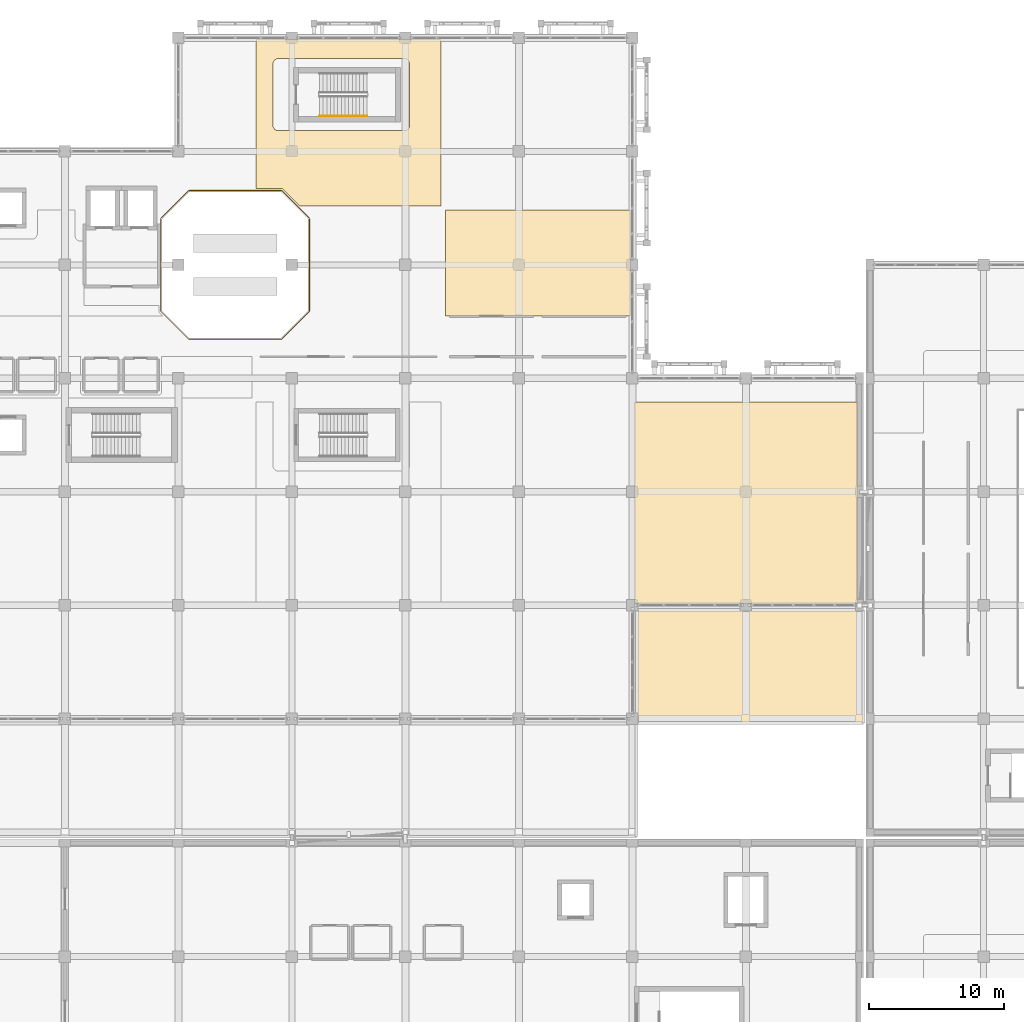
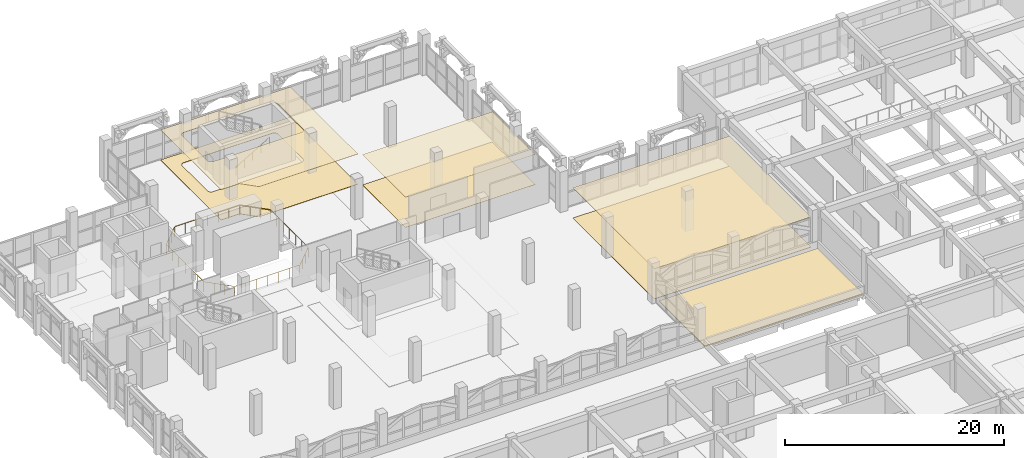
# One storey, part 122 of 129: 7 coverings, 2 railings.
"""IFC4 building model written with IfcOpenShell, lengths in metres."""

from ifc_helpers import new_model, si_unit, direction, frame, origin, origin_2d, place, context, subcontext, project, spatial, polyline, circle, outline, extrude, material, layer, layer_set, type_object, element, save


model = new_model("IFC4")

# Units and contexts
model_context = context("Model", 3, precision=1e-05, world=origin(), true_north=direction((0.0, 1.0)))
body_context = subcontext(model_context, "Body", "Model", "MODEL_VIEW")
ifc_project = project(units=[si_unit("LENGTHUNIT", "METRE"), si_unit("AREAUNIT", "SQUARE_METRE"), si_unit("VOLUMEUNIT", "CUBIC_METRE"), si_unit("PLANEANGLEUNIT", "RADIAN"), si_unit("MASSUNIT", "GRAM", prefix="KILO")], contexts=[model_context])

# Site, building, storey
site_placement = place(None, origin())
site = spatial("IfcSite", under=ifc_project, at=site_placement, CompositionType="ELEMENT")
building_placement = place(site_placement, origin())
building = spatial("IfcBuilding", under=site, at=building_placement, Name="Xazarin Passage Department Store", CompositionType="ELEMENT")
storey_placement = place(building_placement, frame((0.0, 0.0, 9.89990234375)))
storey = spatial("IfcBuildingStorey", under=building, at=storey_placement, Name="L02", CompositionType="ELEMENT", Elevation=9.89990234375)

# Coverings
ifc_material_1 = material(Name="Acoustic mineral ceiling")
ifc_layer_1 = layer(ifc_material_1, 0.030029296875)
ifc_layer_set_1 = layer_set([ifc_layer_1], Name="Acoustic mineral ceiling")
covering_type_1 = type_object("IfcCoveringType", Name="ARC-COV-CLG030", PredefinedType="CEILING", material=ifc_layer_set_1)
covering_1_placement = place(storey_placement, frame((0.0, 0.0, 3.3701171875)))
element("IfcCovering", 1, at=covering_1_placement, inside=storey, type_object=covering_type_1, Name="L02 Menswear Tailoring Salon Acoustic Ceiling", PredefinedType="CEILING", context=body_context, shape_type="SweptSolid", body=[
    extrude(outline(polyline([(36.550048828125, 89.39990234375), (50.25, 89.39990234375), (50.25, 97.25), (36.550048828125, 97.25), (36.550048828125, 89.39990234375)])), origin(), (0.0, 0.0, 1.0), 0.030029296875),
])
ifc_layer_2 = layer(ifc_material_1, 0.0400390625)
ifc_layer_set_2 = layer_set([ifc_layer_2], Name="Acoustic mineral ceiling")
covering_type_2 = type_object("IfcCoveringType", Name="ARC-COV-CLG040", PredefinedType="CEILING", material=ifc_layer_set_2)
covering_2_placement = place(storey_placement, frame((0.0, 0.0, 3.360107421875)))
element("IfcCovering", 2, at=covering_2_placement, inside=storey, type_object=covering_type_2, Name="L02 Denim and Casualwear Hall Acoustic Ceiling", PredefinedType="CEILING", context=body_context, shape_type="SweptSolid", body=[
    extrude(outline(polyline([(24.576904296875, 98.77685546875), (25.8037109375, 97.550048828125), (36.25, 97.550048828125), (36.25, 109.89990234375), (22.550048828125, 109.89990234375), (22.550048828125, 98.85009765625), (24.39990234375, 98.85009765625), (24.424560546875, 98.848876953125), (24.44873046875, 98.84521484375), (24.47265625, 98.839111328125), (24.49560546875, 98.8310546875), (24.517822265625, 98.820556640625), (24.538818359375, 98.807861328125), (24.55859375, 98.793212890625), (24.576904296875, 98.77685546875)]), holes=[polyline([(33.89990234375, 103.530029296875), (33.898193359375, 103.49072265625), (33.892333984375, 103.451904296875), (33.8828125, 103.413818359375), (33.86962890625, 103.376953125), (33.852783203125, 103.34130859375), (33.83251953125, 103.307861328125), (33.80908203125, 103.276123046875), (33.78271484375, 103.247314453125), (33.75390625, 103.220703125), (33.72216796875, 103.197509765625), (33.688720703125, 103.17724609375), (33.653076171875, 103.160400390625), (33.6162109375, 103.147216796875), (33.577880859375, 103.1376953125), (33.539306640625, 103.1318359375), (33.5, 103.1298828125), (24.199951171875, 103.1298828125), (24.160888671875, 103.1318359375), (24.1220703125, 103.1376953125), (24.083984375, 103.147216796875), (24.046875, 103.160400390625), (24.011474609375, 103.17724609375), (23.977783203125, 103.197509765625), (23.9462890625, 103.220703125), (23.917236328125, 103.247314453125), (23.890869140625, 103.276123046875), (23.867431640625, 103.307861328125), (23.84716796875, 103.34130859375), (23.830322265625, 103.376953125), (23.817138671875, 103.413818359375), (23.8076171875, 103.451904296875), (23.802001953125, 103.49072265625), (23.800048828125, 103.530029296875), (23.800048828125, 108.070068359375), (23.802001953125, 108.109130859375), (23.8076171875, 108.14794921875), (23.817138671875, 108.18603515625), (23.830322265625, 108.22314453125), (23.84716796875, 108.258544921875), (23.867431640625, 108.292236328125), (23.890869140625, 108.32373046875), (23.917236328125, 108.352783203125), (23.9462890625, 108.379150390625), (23.977783203125, 108.402587890625), (24.011474609375, 108.4228515625), (24.046875, 108.439697265625), (24.083984375, 108.452880859375), (24.1220703125, 108.46240234375), (24.160888671875, 108.468017578125), (24.199951171875, 108.469970703125), (33.5, 108.469970703125), (33.539306640625, 108.468017578125), (33.577880859375, 108.46240234375), (33.6162109375, 108.452880859375), (33.653076171875, 108.439697265625), (33.688720703125, 108.4228515625), (33.72216796875, 108.402587890625), (33.75390625, 108.379150390625), (33.78271484375, 108.352783203125), (33.80908203125, 108.32373046875), (33.83251953125, 108.292236328125), (33.852783203125, 108.258544921875), (33.86962890625, 108.22314453125), (33.8828125, 108.18603515625), (33.892333984375, 108.14794921875), (33.898193359375, 108.109130859375), (33.89990234375, 108.070068359375), (33.89990234375, 103.530029296875)])]), origin(), (0.0, 0.0, 1.0), 0.0400390625),
])
covering_3_placement = place(storey_placement, frame((0.0, 0.0, 3.360107421875)))
element("IfcCovering", 3, at=covering_3_placement, inside=storey, type_object=covering_type_2, Name="L02 Denim and Casualwear Hall Acoustic Ceiling", PredefinedType="CEILING", context=body_context, shape_type="SweptSolid", body=[
    extrude(outline(polyline([(50.550048828125, 68.14990234375), (67.10009765625, 68.14990234375), (67.10009765625, 83.050048828125), (50.550048828125, 83.050048828125), (50.550048828125, 68.14990234375)])), origin(), (0.0, 0.0, 1.0), 0.0400390625),
])
ifc_material_2 = material(Name="Terrazzo stone flooring", Category="masonry")
ifc_layer_3 = layer(ifc_material_2, 0.02490234375)
ifc_layer_set_3 = layer_set([ifc_layer_3], Name="Terrazzo stone flooring")
covering_type_3 = type_object("IfcCoveringType", Name="ARC-COV-FLR025", PredefinedType="FLOORING", material=ifc_layer_set_3)
covering_4_placement = place(storey_placement, origin())
element("IfcCovering", 4, at=covering_4_placement, inside=storey, type_object=covering_type_3, Name="L02 Menswear Tailoring Salon Terrazzo Flooring", PredefinedType="FLOORING", context=body_context, shape_type="SweptSolid", body=[
    extrude(outline(polyline([(36.550048828125, 89.39990234375), (50.25, 89.39990234375), (50.25, 97.25), (36.550048828125, 97.25), (36.550048828125, 89.39990234375)])), origin(), (0.0, 0.0, 1.0), 0.025146484375),
])
ifc_layer_4 = layer(ifc_material_2, 0.034912109375)
ifc_layer_set_4 = layer_set([ifc_layer_4], Name="Terrazzo stone flooring")
covering_type_4 = type_object("IfcCoveringType", Name="ARC-COV-FLR035", PredefinedType="FLOORING", material=ifc_layer_set_4)
covering_5_placement = place(storey_placement, origin())
element("IfcCovering", 5, at=covering_5_placement, inside=storey, type_object=covering_type_4, Name="L02 Denim and Casualwear Hall Terrazzo Flooring", PredefinedType="FLOORING", context=body_context, shape_type="SweptSolid", body=[
    extrude(outline(polyline([(24.576904296875, 98.77685546875), (25.8037109375, 97.550048828125), (36.25, 97.550048828125), (36.25, 109.89990234375), (22.550048828125, 109.89990234375), (22.550048828125, 98.85009765625), (24.39990234375, 98.85009765625), (24.424560546875, 98.848876953125), (24.44873046875, 98.84521484375), (24.47265625, 98.839111328125), (24.49560546875, 98.8310546875), (24.517822265625, 98.820556640625), (24.538818359375, 98.807861328125), (24.55859375, 98.793212890625), (24.576904296875, 98.77685546875)]), holes=[polyline([(33.89990234375, 103.530029296875), (33.898193359375, 103.49072265625), (33.892333984375, 103.451904296875), (33.8828125, 103.413818359375), (33.86962890625, 103.376953125), (33.852783203125, 103.34130859375), (33.83251953125, 103.307861328125), (33.80908203125, 103.276123046875), (33.78271484375, 103.247314453125), (33.75390625, 103.220703125), (33.72216796875, 103.197509765625), (33.688720703125, 103.17724609375), (33.653076171875, 103.160400390625), (33.6162109375, 103.147216796875), (33.577880859375, 103.1376953125), (33.539306640625, 103.1318359375), (33.5, 103.1298828125), (24.199951171875, 103.1298828125), (24.160888671875, 103.1318359375), (24.1220703125, 103.1376953125), (24.083984375, 103.147216796875), (24.046875, 103.160400390625), (24.011474609375, 103.17724609375), (23.977783203125, 103.197509765625), (23.9462890625, 103.220703125), (23.917236328125, 103.247314453125), (23.890869140625, 103.276123046875), (23.867431640625, 103.307861328125), (23.84716796875, 103.34130859375), (23.830322265625, 103.376953125), (23.817138671875, 103.413818359375), (23.8076171875, 103.451904296875), (23.802001953125, 103.49072265625), (23.800048828125, 103.530029296875), (23.800048828125, 108.070068359375), (23.802001953125, 108.109130859375), (23.8076171875, 108.14794921875), (23.817138671875, 108.18603515625), (23.830322265625, 108.22314453125), (23.84716796875, 108.258544921875), (23.867431640625, 108.292236328125), (23.890869140625, 108.32373046875), (23.917236328125, 108.352783203125), (23.9462890625, 108.379150390625), (23.977783203125, 108.402587890625), (24.011474609375, 108.4228515625), (24.046875, 108.439697265625), (24.083984375, 108.452880859375), (24.1220703125, 108.46240234375), (24.160888671875, 108.468017578125), (24.199951171875, 108.469970703125), (33.5, 108.469970703125), (33.539306640625, 108.468017578125), (33.577880859375, 108.46240234375), (33.6162109375, 108.452880859375), (33.653076171875, 108.439697265625), (33.688720703125, 108.4228515625), (33.72216796875, 108.402587890625), (33.75390625, 108.379150390625), (33.78271484375, 108.352783203125), (33.80908203125, 108.32373046875), (33.83251953125, 108.292236328125), (33.852783203125, 108.258544921875), (33.86962890625, 108.22314453125), (33.8828125, 108.18603515625), (33.892333984375, 108.14794921875), (33.898193359375, 108.109130859375), (33.89990234375, 108.070068359375), (33.89990234375, 103.530029296875)])]), origin(), (0.0, 0.0, 1.0), 0.03515625),
])
covering_6_placement = place(storey_placement, origin())
element("IfcCovering", 6, at=covering_6_placement, inside=storey, type_object=covering_type_4, Name="L02 Denim and Casualwear Hall Terrazzo Flooring", PredefinedType="FLOORING", context=body_context, shape_type="SweptSolid", body=[
    extrude(outline(polyline([(50.550048828125, 68.14990234375), (67.10009765625, 68.14990234375), (67.10009765625, 83.050048828125), (50.550048828125, 83.050048828125), (50.550048828125, 68.14990234375)])), origin(), (0.0, 0.0, 1.0), 0.03515625),
])
ifc_material_3 = material(Name="Insulated waterproof roofing membrane")
ifc_layer_5 = layer(ifc_material_3, 0.080078125)
ifc_layer_set_5 = layer_set([ifc_layer_5], Name="Insulated waterproof roofing membrane")
covering_type_5 = type_object("IfcCoveringType", Name="ARC-COV-RFG080", PredefinedType="ROOFING", material=ifc_layer_set_5)
covering_7_placement = place(storey_placement, origin())
element("IfcCovering", 7, at=covering_7_placement, inside=storey, type_object=covering_type_5, Name="L02 Insulated Roofing Membrane SLB-V1-L02-STEP-1", PredefinedType="ROOFING", context=body_context, shape_type="SweptSolid", body=[
    extrude(outline(polyline([(67.5, 67.64990234375), (50.75, 67.64990234375), (50.75, 59.300048828125), (67.5, 59.300048828125), (67.5, 67.64990234375)])), origin(), (0.0, 0.0, 1.0), 0.080078125),
])

# Railings
ifc_material_4 = material(Name="Low-E laminated safety glass", Category="glass")
railing_type_1 = type_object("IfcRailingType", Name="ARC-RL-BAL115", PredefinedType="BALUSTRADE", material=ifc_material_4)
railing_1_placement = place(storey_placement, frame((15.5, 96.641357421875, 0.0)))
element("IfcRailing", 8, at=railing_1_placement, inside=storey, type_object=railing_type_1, Name="L02 Void Edge Balustrade 0005", PredefinedType="BALUSTRADE", context=body_context, shape_type="SweptSolid", body=[
    extrude(circle(Radius=0.02392578125, at=origin_2d()), frame((0.0, -0.03125, 1.1259765625), z_axis=(0.0, -1.0, 0.0), x_axis=(1.0, 0.0, 0.0)), (0.0, 0.0, 1.0), 6.8203125),
    extrude(circle(Radius=0.02392578125, at=origin_2d()), frame((0.022216796875, -6.905029296875, 1.1259765625), z_axis=(0.707106781187, -0.707106781187, 0.0), x_axis=(0.707106781187, 0.707106781187, 0.0)), (0.0, 0.0, 1.0), 2.848876953125),
    extrude(circle(Radius=0.02392578125, at=origin_2d()), frame((2.08984375, -8.94140625, 1.1259765625), z_axis=(1.0, 0.0, 0.0), x_axis=(0.0, 1.0, 0.0)), (0.0, 0.0, 1.0), 6.8203125),
    extrude(circle(Radius=0.02392578125, at=origin_2d()), frame((8.963623046875, -8.919189453125, 1.1259765625), z_axis=(0.707106781187, 0.707106781187, 0.0), x_axis=(-0.707106781187, 0.707106781187, 0.0)), (0.0, 0.0, 1.0), 2.848876953125),
    extrude(circle(Radius=0.02392578125, at=origin_2d()), frame((11.0, -6.8515625, 1.1259765625), z_axis=(0.0, 1.0, 0.0), x_axis=(-1.0, 0.0, 0.0)), (0.0, 0.0, 1.0), 6.8203125),
    extrude(circle(Radius=0.02392578125, at=origin_2d()), frame((10.977783203125, 0.022216796875, 1.1259765625), z_axis=(-0.707106781187, 0.707106781187, 0.0), x_axis=(-0.707106781187, -0.707106781187, 0.0)), (0.0, 0.0, 1.0), 2.848876953125),
    extrude(circle(Radius=0.02392578125, at=origin_2d()), frame((8.91015625, 2.05859375, 1.1259765625), z_axis=(-1.0, 0.0, 0.0), x_axis=(0.0, -1.0, 0.0)), (0.0, 0.0, 1.0), 6.8203125),
    extrude(circle(Radius=0.02392578125, at=origin_2d()), frame((2.036376953125, 2.036376953125, 1.1259765625), z_axis=(-0.707106781187, -0.707106781187, 0.0), x_axis=(0.707106781187, -0.707106781187, 0.0)), (0.0, 0.0, 1.0), 2.848876953125),
    extrude(circle(Radius=0.02099609375, at=origin_2d()), origin(), (0.0, 0.0, 1.0), 1.1015625),
    extrude(circle(Radius=0.02099609375, at=origin_2d()), frame((0.0, -1.147216796875, 0.0)), (0.0, 0.0, 1.0), 1.1015625),
    extrude(circle(Radius=0.02099609375, at=origin_2d()), frame((0.0, -2.294189453125, 0.0)), (0.0, 0.0, 1.0), 1.1015625),
    extrude(circle(Radius=0.02099609375, at=origin_2d()), frame((0.0, -3.44140625, 0.0)), (0.0, 0.0, 1.0), 1.1015625),
    extrude(circle(Radius=0.02099609375, at=origin_2d()), frame((0.0, -4.588623046875, 0.0)), (0.0, 0.0, 1.0), 1.1015625),
    extrude(circle(Radius=0.02099609375, at=origin_2d()), frame((0.0, -5.735595703125, 0.0)), (0.0, 0.0, 1.0), 1.1015625),
    extrude(circle(Radius=0.02099609375, at=origin_2d()), frame((0.0, -6.8828125, 0.0)), (0.0, 0.0, 1.0), 1.1015625),
    extrude(circle(Radius=0.02099609375, at=origin_2d()), frame((0.686279296875, -7.569091796875, 0.0)), (0.0, 0.0, 1.0), 1.1015625),
    extrude(circle(Radius=0.02099609375, at=origin_2d()), frame((1.372314453125, -8.255126953125, 0.0)), (0.0, 0.0, 1.0), 1.1015625),
    extrude(circle(Radius=0.02099609375, at=origin_2d()), frame((2.05859375, -8.94140625, 0.0)), (0.0, 0.0, 1.0), 1.1015625),
    extrude(circle(Radius=0.02099609375, at=origin_2d()), frame((3.205810546875, -8.94140625, 0.0)), (0.0, 0.0, 1.0), 1.1015625),
    extrude(circle(Radius=0.02099609375, at=origin_2d()), frame((4.352783203125, -8.94140625, 0.0)), (0.0, 0.0, 1.0), 1.1015625),
    extrude(circle(Radius=0.02099609375, at=origin_2d()), frame((5.5, -8.94140625, 0.0)), (0.0, 0.0, 1.0), 1.1015625),
    extrude(circle(Radius=0.02099609375, at=origin_2d()), frame((6.647216796875, -8.94140625, 0.0)), (0.0, 0.0, 1.0), 1.1015625),
    extrude(circle(Radius=0.02099609375, at=origin_2d()), frame((7.794189453125, -8.94140625, 0.0)), (0.0, 0.0, 1.0), 1.1015625),
    extrude(circle(Radius=0.02099609375, at=origin_2d()), frame((8.94140625, -8.94140625, 0.0)), (0.0, 0.0, 1.0), 1.1015625),
    extrude(circle(Radius=0.02099609375, at=origin_2d()), frame((9.627685546875, -8.255126953125, 0.0)), (0.0, 0.0, 1.0), 1.1015625),
    extrude(circle(Radius=0.02099609375, at=origin_2d()), frame((10.313720703125, -7.569091796875, 0.0)), (0.0, 0.0, 1.0), 1.1015625),
    extrude(circle(Radius=0.02099609375, at=origin_2d()), frame((11.0, -6.8828125, 0.0)), (0.0, 0.0, 1.0), 1.1015625),
    extrude(circle(Radius=0.02099609375, at=origin_2d()), frame((11.0, -5.735595703125, 0.0)), (0.0, 0.0, 1.0), 1.1015625),
    extrude(circle(Radius=0.02099609375, at=origin_2d()), frame((11.0, -4.588623046875, 0.0)), (0.0, 0.0, 1.0), 1.1015625),
    extrude(circle(Radius=0.02099609375, at=origin_2d()), frame((11.0, -3.44140625, 0.0)), (0.0, 0.0, 1.0), 1.1015625),
    extrude(circle(Radius=0.02099609375, at=origin_2d()), frame((11.0, -2.294189453125, 0.0)), (0.0, 0.0, 1.0), 1.1015625),
    extrude(circle(Radius=0.02099609375, at=origin_2d()), frame((11.0, -1.147216796875, 0.0)), (0.0, 0.0, 1.0), 1.1015625),
    extrude(circle(Radius=0.02099609375, at=origin_2d()), frame((11.0, 0.0, 0.0)), (0.0, 0.0, 1.0), 1.1015625),
    extrude(circle(Radius=0.02099609375, at=origin_2d()), frame((10.313720703125, 0.686279296875, 0.0)), (0.0, 0.0, 1.0), 1.1015625),
    extrude(circle(Radius=0.02099609375, at=origin_2d()), frame((9.627685546875, 1.372314453125, 0.0)), (0.0, 0.0, 1.0), 1.1015625),
    extrude(circle(Radius=0.02099609375, at=origin_2d()), frame((8.94140625, 2.05859375, 0.0)), (0.0, 0.0, 1.0), 1.1015625),
    extrude(circle(Radius=0.02099609375, at=origin_2d()), frame((7.794189453125, 2.05859375, 0.0)), (0.0, 0.0, 1.0), 1.1015625),
    extrude(circle(Radius=0.02099609375, at=origin_2d()), frame((6.647216796875, 2.05859375, 0.0)), (0.0, 0.0, 1.0), 1.1015625),
    extrude(circle(Radius=0.02099609375, at=origin_2d()), frame((5.5, 2.05859375, 0.0)), (0.0, 0.0, 1.0), 1.1015625),
    extrude(circle(Radius=0.02099609375, at=origin_2d()), frame((4.352783203125, 2.05859375, 0.0)), (0.0, 0.0, 1.0), 1.1015625),
    extrude(circle(Radius=0.02099609375, at=origin_2d()), frame((3.205810546875, 2.05859375, 0.0)), (0.0, 0.0, 1.0), 1.1015625),
    extrude(circle(Radius=0.02099609375, at=origin_2d()), frame((2.05859375, 2.05859375, 0.0)), (0.0, 0.0, 1.0), 1.1015625),
    extrude(circle(Radius=0.02099609375, at=origin_2d()), frame((1.372314453125, 1.372314453125, 0.0)), (0.0, 0.0, 1.0), 1.1015625),
    extrude(circle(Radius=0.02099609375, at=origin_2d()), frame((0.686279296875, 0.686279296875, 0.0)), (0.0, 0.0, 1.0), 1.1015625),
])
ifc_material_5 = material(Name="Steel S355", Category="steel")
railing_type_2 = type_object("IfcRailingType", Name="ARC-RL-HND090", PredefinedType="HANDRAIL", material=ifc_material_5)
railing_2_placement = place(storey_placement, frame((27.239990234375, 104.22998046875, 0.160888671875)))
element("IfcRailing", 9, at=railing_2_placement, inside=storey, type_object=railing_type_2, Name="L02 ST2 stair handrail 1", PredefinedType="HANDRAIL", context=body_context, shape_type="SweptSolid", body=[
    extrude(circle(Radius=0.02392578125, at=origin_2d()), frame((0.0, 0.0, 0.8759765625), z_axis=(0.859312273368, 0.0, 0.511451284914), x_axis=(0.0, 1.0, 0.0)), (0.0, 0.0, 1.0), 4.084716796875),
    extrude(circle(Radius=0.02099609375, at=origin_2d()), origin(), (0.0, 0.0, 1.0), 0.8515625),
    extrude(circle(Radius=0.02099609375, at=origin_2d()), frame((0.87744140625, 0.0, 0.522216796875)), (0.0, 0.0, 1.0), 0.8515625),
    extrude(circle(Radius=0.02099609375, at=origin_2d()), frame((1.7548828125, 0.0, 1.04443359375)), (0.0, 0.0, 1.0), 0.8515625),
    extrude(circle(Radius=0.02099609375, at=origin_2d()), frame((2.632568359375, 0.0, 1.56689453125)), (0.0, 0.0, 1.0), 0.8515625),
    extrude(circle(Radius=0.02099609375, at=origin_2d()), frame((3.510009765625, 0.0, 2.089111328125)), (0.0, 0.0, 1.0), 0.8515625),
])

save(model, "model.ifc")
